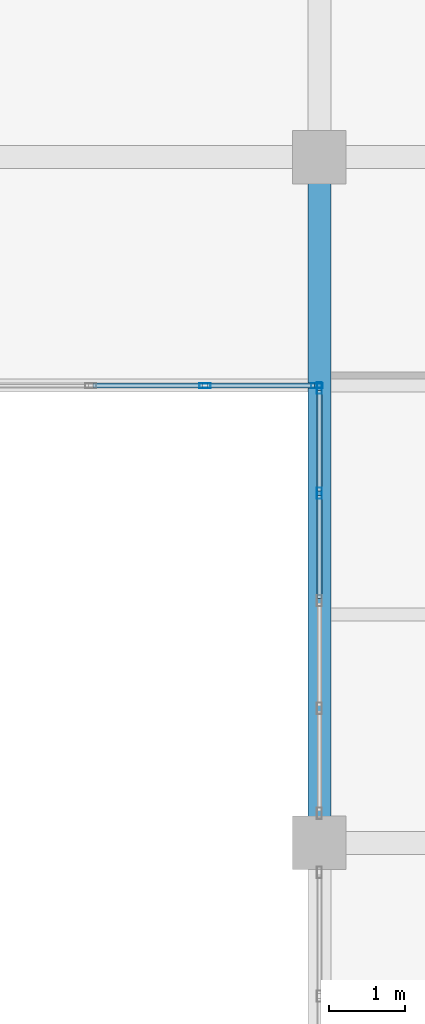
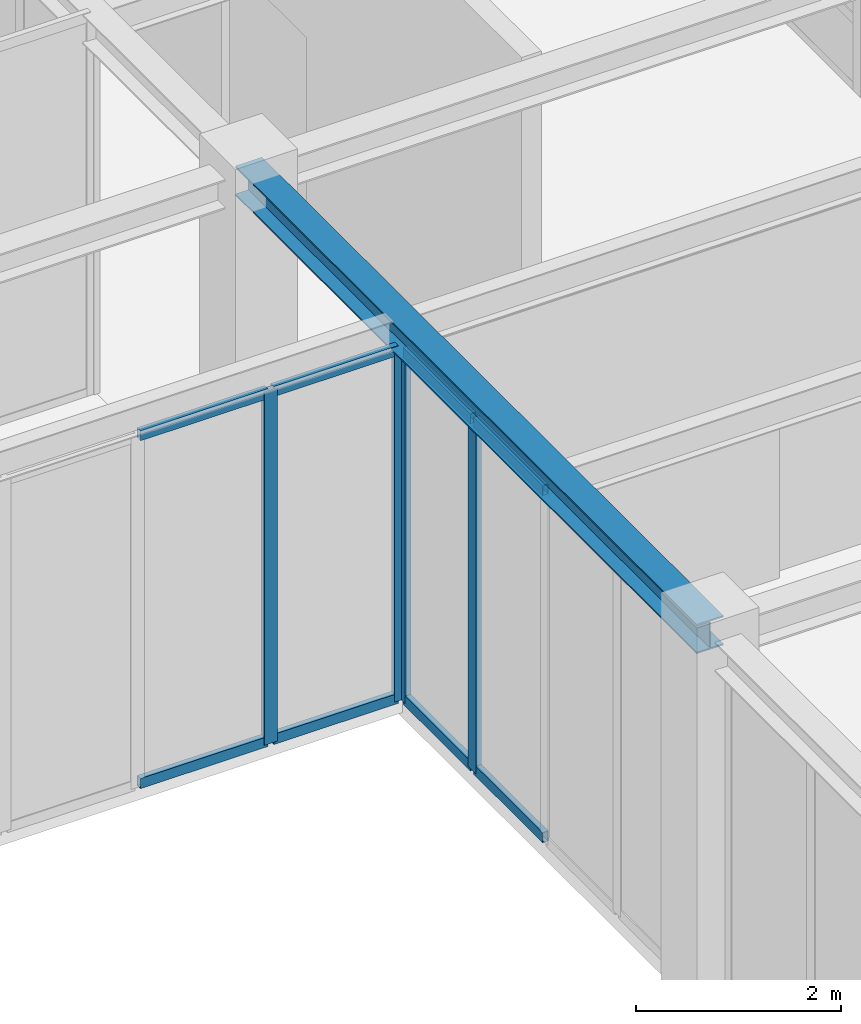
# One storey, part 31 of 92: 12 members, 1 beam, 2 elements without a shape of their own.
"""IFC4 building model written with IfcOpenShell, lengths in metres."""

from ifc_helpers import new_model, si_unit, direction, frame, origin, origin_2d, place, context, subcontext, project, spatial, hollow_rectangle, i_section, extrude, material, material_profile, profile_set, type_object, element, aggregate, save


model = new_model("IFC4")

# Units and contexts
model_context = context("Model", 3, precision=1e-05, world=origin(), true_north=direction((0.0, 1.0)))
body_context = subcontext(model_context, "Body", "Model", "MODEL_VIEW")
ifc_project = project(units=[si_unit("LENGTHUNIT", "METRE"), si_unit("AREAUNIT", "SQUARE_METRE"), si_unit("VOLUMEUNIT", "CUBIC_METRE"), si_unit("PLANEANGLEUNIT", "RADIAN"), si_unit("MASSUNIT", "GRAM", prefix="KILO")], contexts=[model_context])

# Site, building, storey
site_placement = place(None, origin())
site = spatial("IfcSite", under=ifc_project, at=site_placement, CompositionType="ELEMENT")
building_placement = place(site_placement, origin())
building = spatial("IfcBuilding", under=site, at=building_placement, Name="Lykobir Media Centre", CompositionType="ELEMENT")
storey_placement = place(building_placement, frame((0.0, 0.0, 5.39990234375)))
storey = spatial("IfcBuildingStorey", under=building, at=storey_placement, Name="L01", CompositionType="ELEMENT", Elevation=5.39990234375)

# Curtain wall, members
ifc_material_1 = material(Name="Anodized Aluminium AW-6060", Category="aluminium")
curtain_wall_type = type_object("IfcCurtainWallType", Name="CW-BRIDGE", PredefinedType="NOTDEFINED", material=ifc_material_1)
curtain_wall_1_placement = place(storey_placement, origin())
curtain_wall_1 = element("IfcCurtainWall", 1, at=curtain_wall_1_placement, inside=storey, type_object=curtain_wall_type, Name="Curtain wall CW2-L01-0025", PredefinedType="NOTDEFINED")
ifc_material_profile_1 = material_profile(ifc_material_1, hollow_rectangle(XDim=0.06494140625, YDim=0.14990234375, WallThickness=0.00341796875, at=origin_2d()), Name="ALU MULLION 65x150")
ifc_profile_set_1 = profile_set([ifc_material_profile_1], Name="Anodized Aluminium AW-6060")
member_type_1 = type_object("IfcMemberType", Name="CWM-150", PredefinedType="MULLION", material=ifc_profile_set_1)
member_1_placement = place(storey_placement, frame((89.967529296875, 15.0, 0.0), z_axis=(0.0, 0.0, 1.0), x_axis=(0.0, -1.0, 0.0)))
member_1 = element("IfcMember", 2, at=member_1_placement, type_object=member_type_1, Name="CW2-L01-0025 mullion 1", PredefinedType="MULLION", context=body_context, shape_type="SweptSolid", body=[
    extrude(hollow_rectangle(XDim=0.06494140625, YDim=0.14990234375, WallThickness=0.00341796875, at=origin_2d()), origin(), (0.0, 0.0, 1.0), 4.205078125),
])
member_2_placement = place(storey_placement, frame((88.5, 15.0, 0.0), z_axis=(0.0, 0.0, 1.0), x_axis=(0.0, -1.0, 0.0)))
member_2 = element("IfcMember", 3, at=member_2_placement, type_object=member_type_1, Name="CW2-L01-0025 mullion 2", PredefinedType="MULLION", context=body_context, shape_type="SweptSolid", body=[
    extrude(hollow_rectangle(XDim=0.06494140625, YDim=0.14990234375, WallThickness=0.00341796875, at=origin_2d()), origin(), (0.0, 0.0, 1.0), 4.205078125),
])

curtain_wall_2_placement = place(storey_placement, origin())
curtain_wall_2 = element("IfcCurtainWall", 4, at=curtain_wall_2_placement, inside=storey, type_object=curtain_wall_type, Name="Curtain wall CW2-L01-0027", PredefinedType="NOTDEFINED")
member_3_placement = place(storey_placement, frame((90.0, 13.5888671875, 0.0), z_axis=(0.0, 0.0, 1.0), x_axis=(-1.0, 0.0, 0.0)))
member_3 = element("IfcMember", 5, at=member_3_placement, type_object=member_type_1, Name="CW2-L01-0027 mullion 4", PredefinedType="MULLION", context=body_context, shape_type="SweptSolid", body=[
    extrude(hollow_rectangle(XDim=0.06494140625, YDim=0.14990234375, WallThickness=0.00341796875, at=origin_2d()), origin(), (0.0, 0.0, 1.0), 4.195068359375),
])
member_4_placement = place(storey_placement, frame((90.0, 14.967529296875, 0.0), z_axis=(0.0, 0.0, 1.0), x_axis=(-1.0, 0.0, 0.0)))
member_4 = element("IfcMember", 6, at=member_4_placement, type_object=member_type_1, Name="CW2-L01-0027 mullion 5", PredefinedType="MULLION", context=body_context, shape_type="SweptSolid", body=[
    extrude(hollow_rectangle(XDim=0.06494140625, YDim=0.14990234375, WallThickness=0.00341796875, at=origin_2d()), origin(), (0.0, 0.0, 1.0), 4.195068359375),
])

# Member
ifc_material_profile_2 = material_profile(ifc_material_1, hollow_rectangle(XDim=0.06494140625, YDim=0.1201171875, WallThickness=0.0029296875, at=origin_2d()), Name="ALU TRANSOM 65x120")
ifc_profile_set_2 = profile_set([ifc_material_profile_2], Name="Anodized Aluminium AW-6060")
member_type_2 = type_object("IfcMemberType", Name="CWT-120", PredefinedType="USERDEFINED", material=ifc_profile_set_2)
member_5_placement = place(storey_placement, frame((89.93505859375, 15.0, 0.03271484375), z_axis=(-1.0, 0.0, 0.0), x_axis=(0.0, -1.0, 0.0)))
member_5 = element("IfcMember", 7, at=member_5_placement, type_object=member_type_2, Name="CW2-L01-0025 transom 1.1", ObjectType="TRANSOM", PredefinedType="USERDEFINED", context=body_context, shape_type="SweptSolid", body=[
    extrude(hollow_rectangle(XDim=0.06494140625, YDim=0.1201171875, WallThickness=0.0029296875, at=origin_2d()), origin(), (0.0, 0.0, 1.0), 1.402587890625),
])

member_6_placement = place(storey_placement, frame((89.93505859375, 15.0, 4.172607421875), z_axis=(-1.0, 0.0, 0.0), x_axis=(0.0, -1.0, 0.0)))
member_6 = element("IfcMember", 8, at=member_6_placement, type_object=member_type_2, Name="CW2-L01-0025 transom 1.2", ObjectType="TRANSOM", PredefinedType="USERDEFINED", context=body_context, shape_type="SweptSolid", body=[
    extrude(hollow_rectangle(XDim=0.06494140625, YDim=0.1201171875, WallThickness=0.0029296875, at=origin_2d()), origin(), (0.0, 0.0, 1.0), 1.402587890625),
])

member_7_placement = place(storey_placement, frame((88.467529296875, 15.0, 0.03271484375), z_axis=(-1.0, 0.0, 0.0), x_axis=(0.0, -1.0, 0.0)))
member_7 = element("IfcMember", 9, at=member_7_placement, type_object=member_type_2, Name="CW2-L01-0025 transom 2.1", ObjectType="TRANSOM", PredefinedType="USERDEFINED", context=body_context, shape_type="SweptSolid", body=[
    extrude(hollow_rectangle(XDim=0.06494140625, YDim=0.1201171875, WallThickness=0.0029296875, at=origin_2d()), origin(), (0.0, 0.0, 1.0), 1.43505859375),
])

member_8_placement = place(storey_placement, frame((88.467529296875, 15.0, 4.172607421875), z_axis=(-1.0, 0.0, 0.0), x_axis=(0.0, -1.0, 0.0)))
member_8 = element("IfcMember", 10, at=member_8_placement, type_object=member_type_2, Name="CW2-L01-0025 transom 2.2", ObjectType="TRANSOM", PredefinedType="USERDEFINED", context=body_context, shape_type="SweptSolid", body=[
    extrude(hollow_rectangle(XDim=0.06494140625, YDim=0.1201171875, WallThickness=0.0029296875, at=origin_2d()), origin(), (0.0, 0.0, 1.0), 1.43505859375),
])

aggregate(curtain_wall_1, [member_1, member_2, member_5, member_6, member_7, member_8])

member_9_placement = place(storey_placement, frame((90.0, 12.2099609375, 0.03271484375), z_axis=(0.0, 1.0, 0.0), x_axis=(-1.0, 0.0, 0.0)))
member_9 = element("IfcMember", 11, at=member_9_placement, type_object=member_type_2, Name="CW2-L01-0027 transom 3.1", ObjectType="TRANSOM", PredefinedType="USERDEFINED", context=body_context, shape_type="SweptSolid", body=[
    extrude(hollow_rectangle(XDim=0.06494140625, YDim=0.1201171875, WallThickness=0.0029296875, at=origin_2d()), origin(), (0.0, 0.0, 1.0), 1.346435546875),
])

member_10_placement = place(storey_placement, frame((90.0, 12.2099609375, 4.16259765625), z_axis=(0.0, 1.0, 0.0), x_axis=(-1.0, 0.0, 0.0)))
member_10 = element("IfcMember", 12, at=member_10_placement, type_object=member_type_2, Name="CW2-L01-0027 transom 3.2", ObjectType="TRANSOM", PredefinedType="USERDEFINED", context=body_context, shape_type="SweptSolid", body=[
    extrude(hollow_rectangle(XDim=0.06494140625, YDim=0.1201171875, WallThickness=0.0029296875, at=origin_2d()), origin(), (0.0, 0.0, 1.0), 1.346435546875),
])

member_11_placement = place(storey_placement, frame((90.0, 13.62109375, 0.03271484375), z_axis=(0.0, 1.0, 0.0), x_axis=(-1.0, 0.0, 0.0)))
member_11 = element("IfcMember", 13, at=member_11_placement, type_object=member_type_2, Name="CW2-L01-0027 transom 4.1", ObjectType="TRANSOM", PredefinedType="USERDEFINED", context=body_context, shape_type="SweptSolid", body=[
    extrude(hollow_rectangle(XDim=0.06494140625, YDim=0.1201171875, WallThickness=0.0029296875, at=origin_2d()), origin(), (0.0, 0.0, 1.0), 1.31396484375),
])

member_12_placement = place(storey_placement, frame((90.0, 13.62109375, 4.16259765625), z_axis=(0.0, 1.0, 0.0), x_axis=(-1.0, 0.0, 0.0)))
member_12 = element("IfcMember", 14, at=member_12_placement, type_object=member_type_2, Name="CW2-L01-0027 transom 4.2", ObjectType="TRANSOM", PredefinedType="USERDEFINED", context=body_context, shape_type="SweptSolid", body=[
    extrude(hollow_rectangle(XDim=0.06494140625, YDim=0.1201171875, WallThickness=0.0029296875, at=origin_2d()), origin(), (0.0, 0.0, 1.0), 1.31396484375),
])

aggregate(curtain_wall_2, [member_3, member_4, member_9, member_10, member_11, member_12])

# Beam
ifc_material_2 = material(Name="Steel S355", Category="steel")
ifc_material_profile_3 = material_profile(ifc_material_2, i_section(OverallWidth=0.300048828125, OverallDepth=0.35009765625, WebThickness=0.010009765625, FlangeThickness=0.017578125, at=origin_2d()), Name="HEA 360")
ifc_profile_set_3 = profile_set([ifc_material_profile_3], Name="Steel S355")
beam_type = type_object("IfcBeamType", Name="SP-HEA360-E", PredefinedType="SPANDREL", material=ifc_profile_set_3)
beam_placement = place(storey_placement, frame((90.0, 9.0, 4.385009765625), z_axis=(0.0, 1.0, 0.0), x_axis=(-1.0, 0.0, 0.0)))
element("IfcBeam", 15, at=beam_placement, inside=storey, type_object=beam_type, Name="Beam BM-L01-0900-0090-0900-0180-978", PredefinedType="SPANDREL", context=body_context, shape_type="SweptSolid", body=[
    extrude(i_section(OverallWidth=0.300048828125, OverallDepth=0.35009765625, WebThickness=0.010009765625, FlangeThickness=0.017578125, at=origin_2d()), origin(), (0.0, 0.0, 1.0), 9.0),
])

save(model, "model.ifc")
